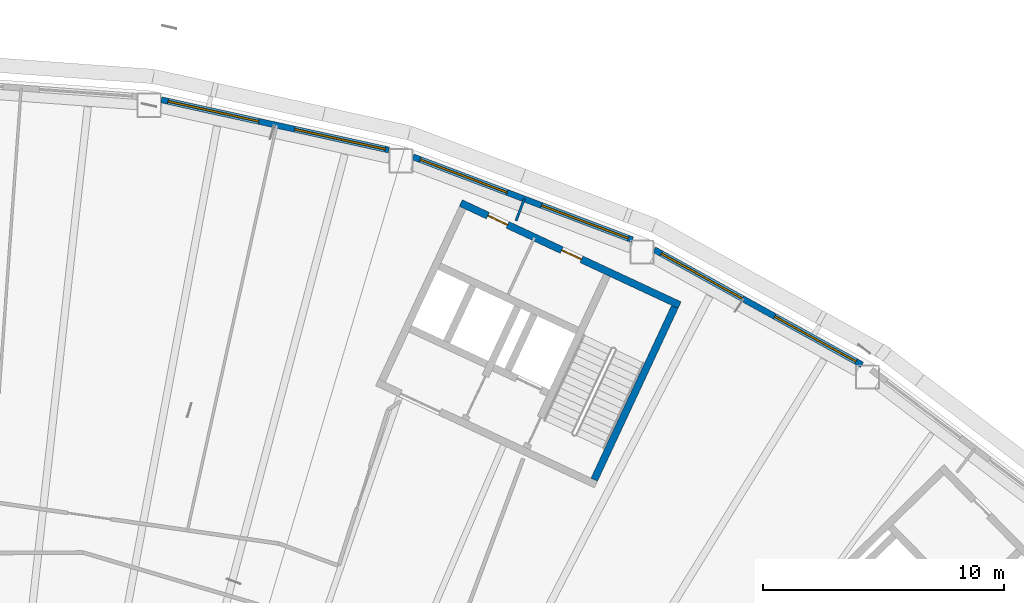
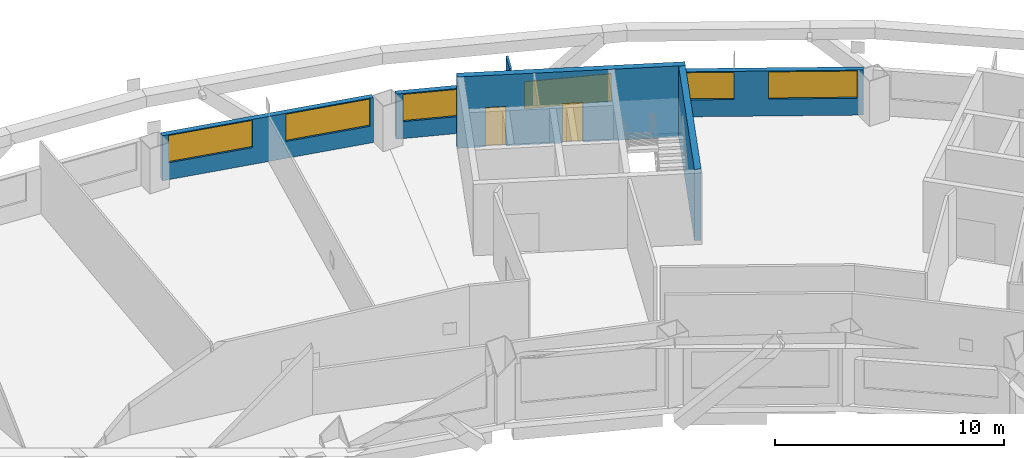
# One storey, part 8 of 19: 6 walls, 6 windows, 2 doors, 8 openings.
"""IFC4 building model written with IfcOpenShell, lengths in metres."""

from ifc_helpers import new_model, si_unit, direction, frame, frame_2d, origin, place, context, subcontext, project, spatial, rectangle, extrude, material, layer, layer_set, type_object, element, fill, save


model = new_model("IFC4")

# Units and contexts
model_context = context("Model", 3, precision=1e-05, world=origin(), true_north=direction((0.0, 1.0)))
body_context = subcontext(model_context, "Body", "Model", "MODEL_VIEW")
ifc_project = project(units=[si_unit("LENGTHUNIT", "METRE"), si_unit("AREAUNIT", "SQUARE_METRE"), si_unit("VOLUMEUNIT", "CUBIC_METRE"), si_unit("PLANEANGLEUNIT", "RADIAN"), si_unit("MASSUNIT", "GRAM", prefix="KILO")], contexts=[model_context])

# Site, building, storey
site_placement = place(None, origin())
site = spatial("IfcSite", under=ifc_project, at=site_placement, CompositionType="ELEMENT")
building_placement = place(site_placement, origin())
building = spatial("IfcBuilding", under=site, at=building_placement, Name="Tuul Gate Civic Tower", CompositionType="ELEMENT")
storey_placement = place(building_placement, frame((0.0, 0.0, 163.39990234375)))
storey = spatial("IfcBuildingStorey", under=building, at=storey_placement, Name="Level 37", CompositionType="ELEMENT", Elevation=163.39990234375)

# Wall, openings, doors
ifc_material_1 = material(Name="Concrete C50/60", Category="concrete")
ifc_layer_1 = layer(ifc_material_1, 0.300048828125)
ifc_layer_set_1 = layer_set([ifc_layer_1], Name="Concrete C50/60")
wall_type_1 = type_object("IfcWallType", Name="Core wall C50/60", PredefinedType="SHEAR", material=ifc_layer_set_1)
wall_1_placement = place(storey_placement, frame((37.993408203125, 0.181884765625, 0.0), z_axis=(0.0, 0.0, 1.0), x_axis=(-0.906310338845, 0.422612789327, 0.0)))
wall_1 = element("IfcWall", 1, at=wall_1_placement, inside=storey, type_object=wall_type_1, Name="Core wall", PredefinedType="SHEAR", context=body_context, shape_type="SweptSolid", body=[
    extrude(rectangle(XDim=9.999755859375, YDim=0.300048828125, at=frame_2d((5.0, 0.0))), origin(), (0.0, 0.0, 1.0), 3.800048828125),
])
opening_1_placement = place(wall_1_placement, frame((4.487548828125, 0.0, 0.0)))
opening_1 = element("IfcOpeningElement", 2, at=opening_1_placement, cuts=wall_1, Name="Opening M-D21", PredefinedType="OPENING", context=body_context, shape_type="SweptSolid", body=[
    extrude(rectangle(XDim=0.89990234375, YDim=2.10009765625, at=frame_2d((0.449951171875, 1.050048828125))), frame((0.0, 0.16015625, 0.0), z_axis=(0.0, -1.0, 0.0), x_axis=(1.0, 0.0, 0.0)), (0.0, 0.0, 1.0), 0.320068359375),
])
opening_2_placement = place(wall_1_placement, frame((7.862548828125, 0.0, 0.0)))
opening_2 = element("IfcOpeningElement", 3, at=opening_2_placement, cuts=wall_1, Name="Opening M-D22", PredefinedType="OPENING", context=body_context, shape_type="SweptSolid", body=[
    extrude(rectangle(XDim=0.89990234375, YDim=2.10009765625, at=frame_2d((0.449951171875, 1.050048828125))), frame((0.0, 0.16015625, 0.0), z_axis=(0.0, -1.0, 0.0), x_axis=(1.0, 0.0, 0.0)), (0.0, 0.0, 1.0), 0.320068359375),
])
ifc_material_2 = material(Name="Timber door leaf", Category="wood")
door_type = type_object("IfcDoorType", Name="Door D09", OperationType="NOTDEFINED", PredefinedType="DOOR", material=ifc_material_2)
door_1_placement = place(opening_1_placement, origin())
door_1 = element("IfcDoor", 4, at=door_1_placement, inside=storey, type_object=door_type, Name="Door M-D21", OperationType="SINGLE_SWING_LEFT", OverallHeight=2.10009765625, OverallWidth=0.89990234375, PredefinedType="DOOR", context=body_context, shape_type="SweptSolid", body=[
    extrude(rectangle(XDim=0.89990234375, YDim=2.10009765625, at=frame_2d((0.449951171875, 1.050048828125))), frame((0.0, 0.02490234375, 0.0), z_axis=(0.0, -1.0, 0.0), x_axis=(1.0, 0.0, 0.0)), (0.0, 0.0, 1.0), 0.050048828125),
])
fill(opening_1, door_1)
door_2_placement = place(opening_2_placement, origin())
door_2 = element("IfcDoor", 5, at=door_2_placement, inside=storey, type_object=door_type, Name="Door M-D22", OperationType="SINGLE_SWING_RIGHT", OverallHeight=2.10009765625, OverallWidth=0.89990234375, PredefinedType="DOOR", context=body_context, shape_type="SweptSolid", body=[
    extrude(rectangle(XDim=0.89990234375, YDim=2.10009765625, at=frame_2d((0.449951171875, 1.050048828125))), frame((0.0, 0.02490234375, 0.0), z_axis=(0.0, -1.0, 0.0), x_axis=(1.0, 0.0, 0.0)), (0.0, 0.0, 1.0), 0.050048828125),
])
fill(opening_2, door_2)

# Wall
wall_2_placement = place(storey_placement, frame((34.455810546875, -7.05078125, 0.0), z_axis=(0.0, 0.0, 1.0), x_axis=(0.422570768258, 0.906329932096, 0.0)))
element("IfcWall", 6, at=wall_2_placement, inside=storey, type_object=wall_type_1, Name="Core wall", PredefinedType="SHEAR", context=body_context, shape_type="SweptSolid", body=[
    extrude(rectangle(XDim=7.900146484375, YDim=0.300048828125, at=frame_2d((3.9501953125, 0.0))), origin(), (0.0, 0.0, 1.0), 3.800048828125),
])

# Wall, openings, windows
ifc_material_3 = material(Name="Precast concrete C40/50", Category="concrete")
ifc_layer_2 = layer(ifc_material_3, 0.25)
ifc_layer_set_2 = layer_set([ifc_layer_2], Name="Precast concrete C40/50")
wall_type_2 = type_object("IfcWallType", Name="External wall 2400 HIGH", PredefinedType="STANDARD", material=ifc_layer_set_2)
wall_3_placement = place(storey_placement, frame((45.545166015625, -2.291015625, 0.0), z_axis=(0.0, 0.0, 1.0), x_axis=(-0.874631968484, 0.484787499536, 0.0)))
wall_3 = element("IfcWall", 7, at=wall_3_placement, inside=storey, type_object=wall_type_2, Name="External wall", PredefinedType="STANDARD", context=body_context, shape_type="SweptSolid", body=[
    extrude(rectangle(XDim=9.8408203125, YDim=0.25, at=frame_2d((4.92041015625, 0.0))), origin(), (0.0, 0.0, 1.0), 2.400146484375),
])
opening_3_placement = place(wall_3_placement, frame((0.283935546875, 0.0, 0.89990234375)))
opening_3 = element("IfcOpeningElement", 8, at=opening_3_placement, cuts=wall_3, Name="Opening W103", PredefinedType="OPENING", context=body_context, shape_type="SweptSolid", body=[
    extrude(rectangle(XDim=3.85009765625, YDim=1.449951171875, at=frame_2d((1.925048828125, 0.72509765625))), frame((0.0, 0.135009765625, 0.0), z_axis=(0.0, -1.0, 0.0), x_axis=(1.0, 0.0, 0.0)), (0.0, 0.0, 1.0), 0.27001953125),
])
opening_4_placement = place(wall_3_placement, frame((5.655029296875, 0.0, 0.89990234375)))
opening_4 = element("IfcOpeningElement", 9, at=opening_4_placement, cuts=wall_3, Name="Opening W103", PredefinedType="OPENING", context=body_context, shape_type="SweptSolid", body=[
    extrude(rectangle(XDim=3.85009765625, YDim=1.449951171875, at=frame_2d((1.925048828125, 0.72509765625))), frame((0.0, 0.135009765625, 0.0), z_axis=(0.0, -1.0, 0.0), x_axis=(1.0, 0.0, 0.0)), (0.0, 0.0, 1.0), 0.27001953125),
])
ifc_material_4 = material(Name="Glass", Category="glass")
window_type = type_object("IfcWindowType", Name="Window W103 3850 x 1450", PartitioningType="SINGLE_PANEL", PredefinedType="WINDOW", material=ifc_material_4)
window_1_placement = place(opening_3_placement, origin())
window_1 = element("IfcWindow", 10, at=window_1_placement, inside=storey, type_object=window_type, Name="Window", OverallHeight=1.449951171875, OverallWidth=3.85009765625, PartitioningType="SINGLE_PANEL", PredefinedType="WINDOW", context=body_context, shape_type="SweptSolid", body=[
    extrude(rectangle(XDim=3.85009765625, YDim=1.449951171875, at=frame_2d((1.925048828125, 0.72509765625))), frame((0.0, 0.030029296875, 0.0), z_axis=(0.0, -1.0, 0.0), x_axis=(1.0, 0.0, 0.0)), (0.0, 0.0, 1.0), 0.06005859375),
])
fill(opening_3, window_1)
window_2_placement = place(opening_4_placement, origin())
window_2 = element("IfcWindow", 11, at=window_2_placement, inside=storey, type_object=window_type, Name="Window", OverallHeight=1.449951171875, OverallWidth=3.85009765625, PartitioningType="SINGLE_PANEL", PredefinedType="WINDOW", context=body_context, shape_type="SweptSolid", body=[
    extrude(rectangle(XDim=3.85009765625, YDim=1.449951171875, at=frame_2d((1.925048828125, 0.72509765625))), frame((0.0, 0.030029296875, 0.0), z_axis=(0.0, -1.0, 0.0), x_axis=(1.0, 0.0, 0.0)), (0.0, 0.0, 1.0), 0.06005859375),
])
fill(opening_4, window_2)

wall_4_placement = place(storey_placement, frame((36.03564453125, 2.885009765625, 0.0), z_axis=(0.0, 0.0, 1.0), x_axis=(-0.935351451724, 0.353719750307, 0.0)))
wall_4 = element("IfcWall", 12, at=wall_4_placement, inside=storey, type_object=wall_type_2, Name="External wall", PredefinedType="STANDARD", context=body_context, shape_type="SweptSolid", body=[
    extrude(rectangle(XDim=9.712646484375, YDim=0.25, at=frame_2d((4.8564453125, 0.0))), origin(), (0.0, 0.0, 1.0), 2.400146484375),
])
opening_5_placement = place(wall_4_placement, frame((0.176025390625, 0.0, 0.89990234375)))
opening_5 = element("IfcOpeningElement", 13, at=opening_5_placement, cuts=wall_4, Name="Opening W103", PredefinedType="OPENING", context=body_context, shape_type="SweptSolid", body=[
    extrude(rectangle(XDim=3.85009765625, YDim=1.449951171875, at=frame_2d((1.925048828125, 0.72509765625))), frame((0.0, 0.135009765625, 0.0), z_axis=(0.0, -1.0, 0.0), x_axis=(1.0, 0.0, 0.0)), (0.0, 0.0, 1.0), 0.27001953125),
])
opening_6_placement = place(wall_4_placement, frame((5.547119140625, 0.0, 0.89990234375)))
opening_6 = element("IfcOpeningElement", 14, at=opening_6_placement, cuts=wall_4, Name="Opening W103", PredefinedType="OPENING", context=body_context, shape_type="SweptSolid", body=[
    extrude(rectangle(XDim=3.85009765625, YDim=1.449951171875, at=frame_2d((1.925048828125, 0.72509765625))), frame((0.0, 0.135009765625, 0.0), z_axis=(0.0, -1.0, 0.0), x_axis=(1.0, 0.0, 0.0)), (0.0, 0.0, 1.0), 0.27001953125),
])
window_3_placement = place(opening_5_placement, origin())
window_3 = element("IfcWindow", 15, at=window_3_placement, inside=storey, type_object=window_type, Name="Window", OverallHeight=1.449951171875, OverallWidth=3.85009765625, PartitioningType="SINGLE_PANEL", PredefinedType="WINDOW", context=body_context, shape_type="SweptSolid", body=[
    extrude(rectangle(XDim=3.85009765625, YDim=1.449951171875, at=frame_2d((1.925048828125, 0.72509765625))), frame((0.0, 0.030029296875, 0.0), z_axis=(0.0, -1.0, 0.0), x_axis=(1.0, 0.0, 0.0)), (0.0, 0.0, 1.0), 0.06005859375),
])
fill(opening_5, window_3)
window_4_placement = place(opening_6_placement, origin())
window_4 = element("IfcWindow", 16, at=window_4_placement, inside=storey, type_object=window_type, Name="Window", OverallHeight=1.449951171875, OverallWidth=3.85009765625, PartitioningType="SINGLE_PANEL", PredefinedType="WINDOW", context=body_context, shape_type="SweptSolid", body=[
    extrude(rectangle(XDim=3.85009765625, YDim=1.449951171875, at=frame_2d((1.925048828125, 0.72509765625))), frame((0.0, 0.030029296875, 0.0), z_axis=(0.0, -1.0, 0.0), x_axis=(1.0, 0.0, 0.0)), (0.0, 0.0, 1.0), 0.06005859375),
])
fill(opening_6, window_4)

wall_5_placement = place(storey_placement, frame((25.950927734375, 6.60546875, 0.0), z_axis=(0.0, 0.0, 1.0), x_axis=(-0.976568733391, 0.215205736364, 0.0)))
wall_5 = element("IfcWall", 17, at=wall_5_placement, inside=storey, type_object=wall_type_2, Name="External wall", PredefinedType="STANDARD", context=body_context, shape_type="SweptSolid", body=[
    extrude(rectangle(XDim=9.654296875, YDim=0.25, at=frame_2d((4.8271484375, 0.0))), origin(), (0.0, 0.0, 1.0), 2.400146484375),
])
opening_7_placement = place(wall_5_placement, frame((0.14501953125, 0.0, 0.89990234375)))
opening_7 = element("IfcOpeningElement", 18, at=opening_7_placement, cuts=wall_5, Name="Opening W103", PredefinedType="OPENING", context=body_context, shape_type="SweptSolid", body=[
    extrude(rectangle(XDim=3.85009765625, YDim=1.449951171875, at=frame_2d((1.925048828125, 0.72509765625))), frame((0.0, 0.135009765625, 0.0), z_axis=(0.0, -1.0, 0.0), x_axis=(1.0, 0.0, 0.0)), (0.0, 0.0, 1.0), 0.27001953125),
])
opening_8_placement = place(wall_5_placement, frame((5.51708984375, 0.0, 0.89990234375)))
opening_8 = element("IfcOpeningElement", 19, at=opening_8_placement, cuts=wall_5, Name="Opening W103", PredefinedType="OPENING", context=body_context, shape_type="SweptSolid", body=[
    extrude(rectangle(XDim=3.85009765625, YDim=1.449951171875, at=frame_2d((1.925048828125, 0.72509765625))), frame((0.0, 0.135009765625, 0.0), z_axis=(0.0, -1.0, 0.0), x_axis=(1.0, 0.0, 0.0)), (0.0, 0.0, 1.0), 0.27001953125),
])
window_5_placement = place(opening_7_placement, origin())
window_5 = element("IfcWindow", 20, at=window_5_placement, inside=storey, type_object=window_type, Name="Window", OverallHeight=1.449951171875, OverallWidth=3.85009765625, PartitioningType="SINGLE_PANEL", PredefinedType="WINDOW", context=body_context, shape_type="SweptSolid", body=[
    extrude(rectangle(XDim=3.85009765625, YDim=1.449951171875, at=frame_2d((1.925048828125, 0.72509765625))), frame((0.0, 0.030029296875, 0.0), z_axis=(0.0, -1.0, 0.0), x_axis=(1.0, 0.0, 0.0)), (0.0, 0.0, 1.0), 0.06005859375),
])
fill(opening_7, window_5)
window_6_placement = place(opening_8_placement, origin())
window_6 = element("IfcWindow", 21, at=window_6_placement, inside=storey, type_object=window_type, Name="Window", OverallHeight=1.449951171875, OverallWidth=3.85009765625, PartitioningType="SINGLE_PANEL", PredefinedType="WINDOW", context=body_context, shape_type="SweptSolid", body=[
    extrude(rectangle(XDim=3.85009765625, YDim=1.449951171875, at=frame_2d((1.925048828125, 0.72509765625))), frame((0.0, 0.030029296875, 0.0), z_axis=(0.0, -1.0, 0.0), x_axis=(1.0, 0.0, 0.0)), (0.0, 0.0, 1.0), 0.06005859375),
])
fill(opening_8, window_6)

# Wall
ifc_material_5 = material(Name="Gypsum board partition")
ifc_layer_3 = layer(ifc_material_5, 0.10009765625)
ifc_layer_set_3 = layer_set([ifc_layer_3], Name="Gypsum board partition")
wall_type_3 = type_object("IfcWallType", Name="Partition P100", PredefinedType="PARTITIONING", material=ifc_layer_set_3)
wall_6_placement = place(storey_placement, frame((31.217041015625, 3.673095703125, 0.0), z_axis=(0.0, 0.0, 1.0), x_axis=(0.353571482385, 0.935407508439, 0.0)))
element("IfcWall", 22, at=wall_6_placement, inside=storey, type_object=wall_type_3, Name="p009", PredefinedType="PARTITIONING", context=body_context, shape_type="SweptSolid", body=[
    extrude(rectangle(XDim=0.97216796875, YDim=0.10009765625, at=frame_2d((0.486083984375, 0.0))), origin(), (0.0, 0.0, 1.0), 3.800048828125),
])

save(model, "model.ifc")
